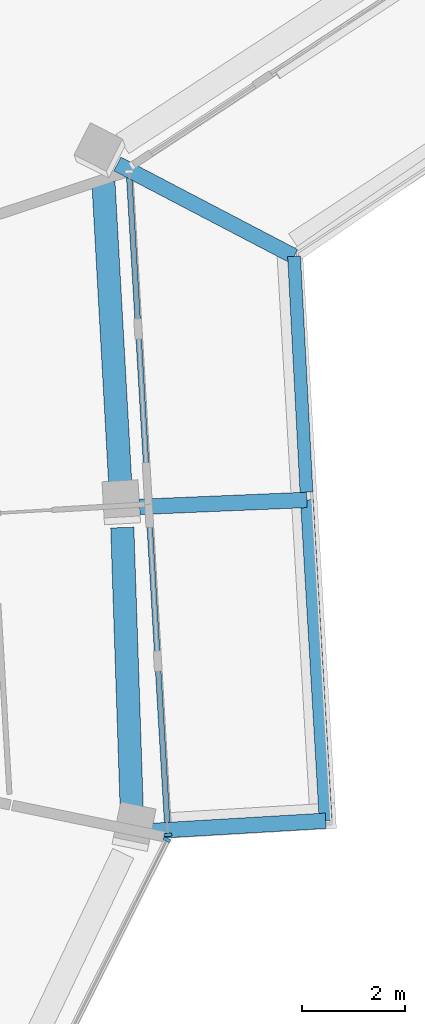
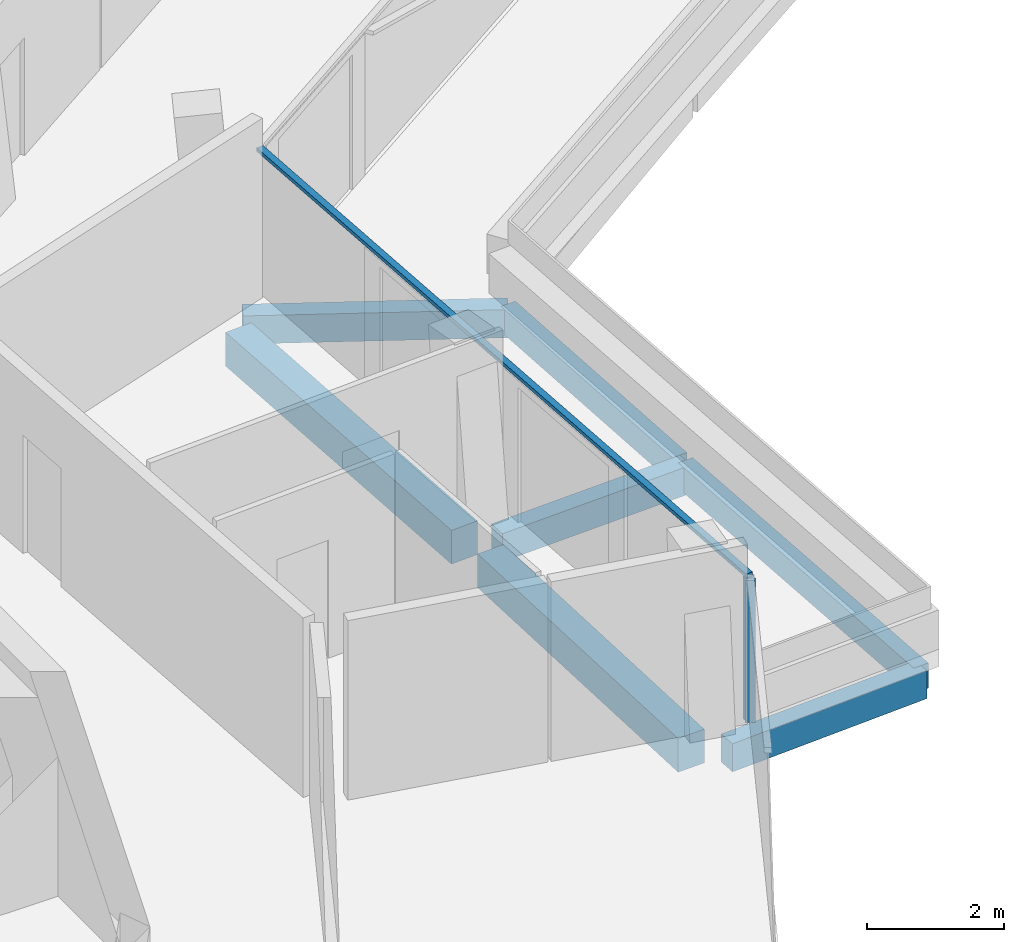
# One storey, part 7 of 26: 7 beams, 3 members, 2 elements without a shape of their own.
"""IFC4 building model written with IfcOpenShell, lengths in metres."""

from ifc_helpers import new_model, si_unit, direction, frame, origin, origin_2d, place, context, subcontext, project, spatial, rectangle, extrude, material, layer, layer_set, material_profile, profile_set, type_object, element, aggregate, save


model = new_model("IFC4")

# Units and contexts
model_context = context("Model", 3, precision=1e-05, world=origin(), true_north=direction((0.0, 1.0)))
body_context = subcontext(model_context, "Body", "Model", "MODEL_VIEW")
ifc_project = project(units=[si_unit("LENGTHUNIT", "METRE"), si_unit("AREAUNIT", "SQUARE_METRE"), si_unit("VOLUMEUNIT", "CUBIC_METRE"), si_unit("PLANEANGLEUNIT", "RADIAN"), si_unit("MASSUNIT", "GRAM", prefix="KILO")], contexts=[model_context])

# Site, building, storey
site_placement = place(None, origin())
site = spatial("IfcSite", under=ifc_project, at=site_placement, CompositionType="ELEMENT")
building_placement = place(site_placement, origin())
building = spatial("IfcBuilding", under=site, at=building_placement, Name="Verdalira Terraces Hotel", CompositionType="ELEMENT")
storey_placement = place(building_placement, frame((0.0, 0.0, 291.5)))
storey = spatial("IfcBuildingStorey", under=building, at=storey_placement, Name="L72", CompositionType="ELEMENT", Elevation=291.5)

# Beams
ifc_material_1 = material(Name="Concrete C40", Category="concrete")
ifc_material_profile_1 = material_profile(ifc_material_1, rectangle(XDim=0.300049, YDim=0.5, at=origin_2d()), Name="RC 300X500")
ifc_profile_set_1 = profile_set([ifc_material_profile_1], Name="Concrete C40")
beam_type_1 = type_object("IfcBeamType", Name="Balcony cantilever beam RC 300X500 C40", PredefinedType="BEAM", material=ifc_profile_set_1)
beam_1_placement = place(storey_placement, frame((24.203125, -4.926514, -0.560059), z_axis=(0.998280087, 0.058624799, 0.0), x_axis=(-0.058624799, 0.998280087, 0.0)))
element("IfcBeam", 1, at=beam_1_placement, inside=storey, type_object=beam_type_1, Name="Balcony cantilever beam R27-1", PredefinedType="BEAM", context=body_context, shape_type="SweptSolid", body=[
    extrude(rectangle(XDim=0.300049, YDim=0.5, at=origin_2d()), origin(), (0.0, 0.0, 1.0), 3.385742),
])
beam_2_placement = place(storey_placement, frame((23.968994, 1.366211, -0.560059), z_axis=(0.999124723, 0.041830462, 0.0), x_axis=(-0.041830462, 0.999124723, 0.0)))
element("IfcBeam", 2, at=beam_2_placement, inside=storey, type_object=beam_type_1, Name="Balcony cantilever beam R27-2", PredefinedType="BEAM", context=body_context, shape_type="SweptSolid", body=[
    extrude(rectangle(XDim=0.300049, YDim=0.5, at=origin_2d()), origin(), (0.0, 0.0, 1.0), 3.250977),
])
beam_3_placement = place(storey_placement, frame((23.538574, 8.024414, -0.560059), z_axis=(0.886218969, -0.463266597, 0.0), x_axis=(0.463266597, 0.886218969, 0.0)))
element("IfcBeam", 3, at=beam_3_placement, inside=storey, type_object=beam_type_1, Name="Balcony cantilever beam R27-3", PredefinedType="BEAM", context=body_context, shape_type="SweptSolid", body=[
    extrude(rectangle(XDim=0.300049, YDim=0.5, at=origin_2d()), origin(), (0.0, 0.0, 1.0), 3.869629),
])
ifc_material_2 = material(Name="Concrete C40", Category="concrete")
ifc_material_profile_2 = material_profile(ifc_material_2, rectangle(XDim=0.25, YDim=0.449951, at=origin_2d()), Name="RC 250X450")
ifc_profile_set_2 = profile_set([ifc_material_profile_2], Name="Concrete C40")
beam_type_2 = type_object("IfcBeamType", Name="Balcony edge beam RC 250X450 C40", PredefinedType="BEAM", material=ifc_profile_set_2)
beam_4_placement = place(storey_placement, frame((27.583008, -4.728027, -0.534912), z_axis=(-0.058639467, 0.998279226, 0.0), x_axis=(-0.998279226, -0.058639467, 0.0)))
element("IfcBeam", 4, at=beam_4_placement, inside=storey, type_object=beam_type_2, Name="Balcony edge beam R27-1", PredefinedType="BEAM", context=body_context, shape_type="SweptSolid", body=[
    extrude(rectangle(XDim=0.25, YDim=0.449951, at=origin_2d()), origin(), (0.0, 0.0, 1.0), 6.240967),
])
beam_5_placement = place(storey_placement, frame((27.209229, 1.6521, -0.534912), z_axis=(-0.052597952, 0.99861577, 0.0), x_axis=(-0.99861577, -0.052597952, 0.0)))
element("IfcBeam", 5, at=beam_5_placement, inside=storey, type_object=beam_type_2, Name="Balcony edge beam R27-2", PredefinedType="BEAM", context=body_context, shape_type="SweptSolid", body=[
    extrude(rectangle(XDim=0.25, YDim=0.449951, at=origin_2d()), origin(), (0.0, 0.0, 1.0), 4.585938),
])

# Curtain wall, member
ifc_material_3 = material(Name="Clear glass", Category="glass")
ifc_layer = layer(ifc_material_3, 0.14990234375)
ifc_layer_set = layer_set([ifc_layer], Name="CW1 curtain wall")
curtain_wall_type = type_object("IfcCurtainWallType", Name="CW1 curtain wall", PredefinedType="NOTDEFINED", material=ifc_layer_set)
curtain_wall_1_placement = place(storey_placement, origin())
curtain_wall_1 = element("IfcCurtainWall", 6, at=curtain_wall_1_placement, inside=storey, type_object=curtain_wall_type, Name="CW1 curtain wall L72 edge 26", PredefinedType="NOTDEFINED")
ifc_material_4 = material(Name="Terracotta frame", Category="masonry")
ifc_material_profile_3 = material_profile(ifc_material_4, rectangle(XDim=0.060059, YDim=0.149902, at=origin_2d()), Name="MU 60x150")
ifc_profile_set_3 = profile_set([ifc_material_profile_3], Name="Terracotta frame")
member_type_1 = type_object("IfcMemberType", Name="CW1 mullion 60x150", PredefinedType="MULLION", material=ifc_profile_set_3)
member_1_placement = place(storey_placement, frame((24.499023, -5.096191, 0.0), z_axis=(0.0, 0.0, 1.0), x_axis=(0.448383216, 0.893841424, 0.0)))
member_1 = element("IfcMember", 7, at=member_1_placement, type_object=member_type_1, Name="CW1 mullion", PredefinedType="MULLION", context=body_context, shape_type="SweptSolid", body=[
    extrude(rectangle(XDim=0.060059, YDim=0.149902, at=origin_2d()), origin(), (0.0, 0.0, 1.0), 2.524902),
])
aggregate(curtain_wall_1, [member_1])

# Curtain wall, members
curtain_wall_2_placement = place(storey_placement, origin())
curtain_wall_2 = element("IfcCurtainWall", 8, at=curtain_wall_2_placement, inside=storey, type_object=curtain_wall_type, Name="CW1 curtain wall L72 edge 27", PredefinedType="NOTDEFINED")
member_2_placement = place(storey_placement, frame((24.518555, -5.001465, 0.0), z_axis=(0.0, 0.0, 1.0), x_axis=(-0.058609456, 0.998280988, 0.0)))
member_2 = element("IfcMember", 9, at=member_2_placement, type_object=member_type_1, Name="CW1 mullion", PredefinedType="MULLION", context=body_context, shape_type="SweptSolid", body=[
    extrude(rectangle(XDim=0.060059, YDim=0.149902, at=origin_2d()), origin(), (0.0, 0.0, 1.0), 2.524902),
])
ifc_material_5 = material(Name="Terracotta frame", Category="masonry")
ifc_material_profile_4 = material_profile(ifc_material_5, rectangle(XDim=0.110107, YDim=0.064941, at=origin_2d()), Name="TR 65x110")
ifc_profile_set_4 = profile_set([ifc_material_profile_4], Name="Terracotta frame")
member_type_2 = type_object("IfcMemberType", Name="CW1 transom 65x110", PredefinedType="USERDEFINED", material=ifc_profile_set_4)
member_3_placement = place(storey_placement, frame((24.520264, -5.03125, 2.557617), z_axis=(-0.058606068, 0.998281187, 0.0), x_axis=(-0.998281187, -0.058606068, 0.0)))
member_3 = element("IfcMember", 10, at=member_3_placement, type_object=member_type_2, Name="CW1 transom", ObjectType="TRANSOM", PredefinedType="USERDEFINED", context=body_context, shape_type="SweptSolid", body=[
    extrude(rectangle(XDim=0.110107, YDim=0.064941, at=origin_2d()), origin(), (0.0, 0.0, 1.0), 12.959717),
])
aggregate(curtain_wall_2, [member_2, member_3])

# Beams
ifc_material_6 = material(Name="Concrete C40", Category="concrete")
ifc_material_profile_5 = material_profile(ifc_material_6, rectangle(XDim=0.449951, YDim=0.600098, at=origin_2d()), Name="RC 450X600")
ifc_profile_set_5 = profile_set([ifc_material_profile_5], Name="Concrete C40")
beam_type_3 = type_object("IfcBeamType", Name="Spandrel beam RC 450X600 C40", PredefinedType="SPANDREL", material=ifc_profile_set_5)
beam_6_placement = place(storey_placement, frame((23.818115, -4.555664, -0.610107), z_axis=(-0.033503205, 0.99943861, 0.0), x_axis=(-0.99943861, -0.033503205, 0.0)))
element("IfcBeam", 11, at=beam_6_placement, inside=storey, type_object=beam_type_3, Name="Spandrel beam B17", PredefinedType="SPANDREL", context=body_context, shape_type="SweptSolid", body=[
    extrude(rectangle(XDim=0.449951, YDim=0.600098, at=origin_2d()), origin(), (0.0, 0.0, 1.0), 5.523682),
])
beam_7_placement = place(storey_placement, frame((23.601318, 1.671875, -0.610107), z_axis=(-0.055676944, 0.998448836, 0.0), x_axis=(-0.998448836, -0.055676944, 0.0)))
element("IfcBeam", 12, at=beam_7_placement, inside=storey, type_object=beam_type_3, Name="Spandrel beam B18", PredefinedType="SPANDREL", context=body_context, shape_type="SweptSolid", body=[
    extrude(rectangle(XDim=0.449951, YDim=0.600098, at=origin_2d()), origin(), (0.0, 0.0, 1.0), 6.011719),
])

save(model, "model.ifc")
